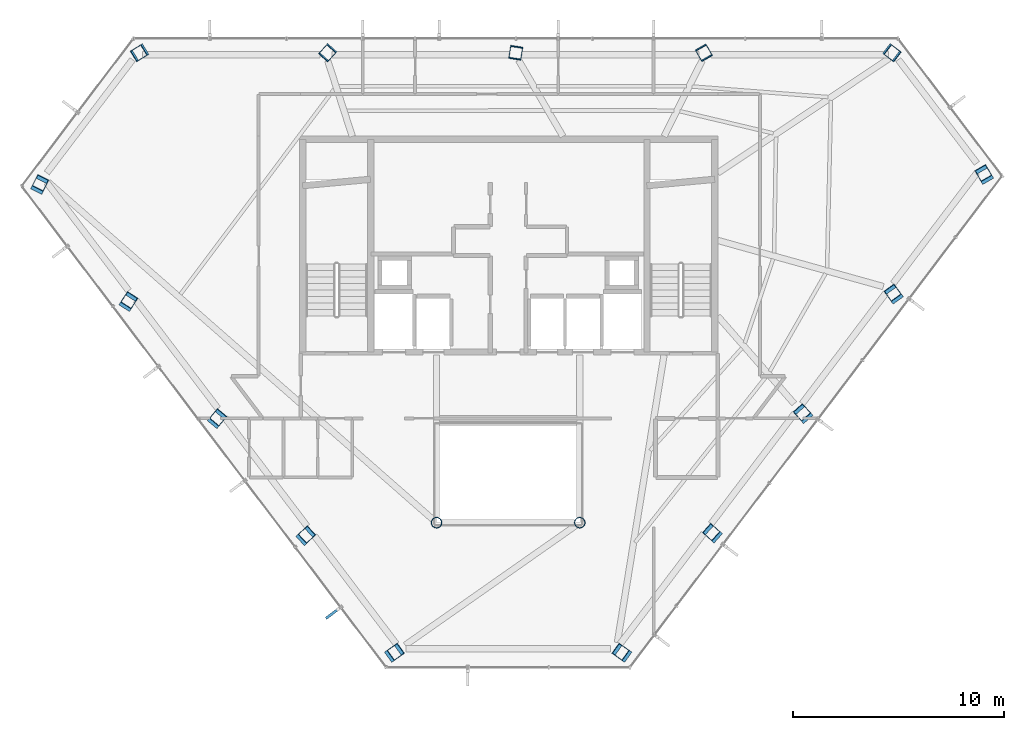
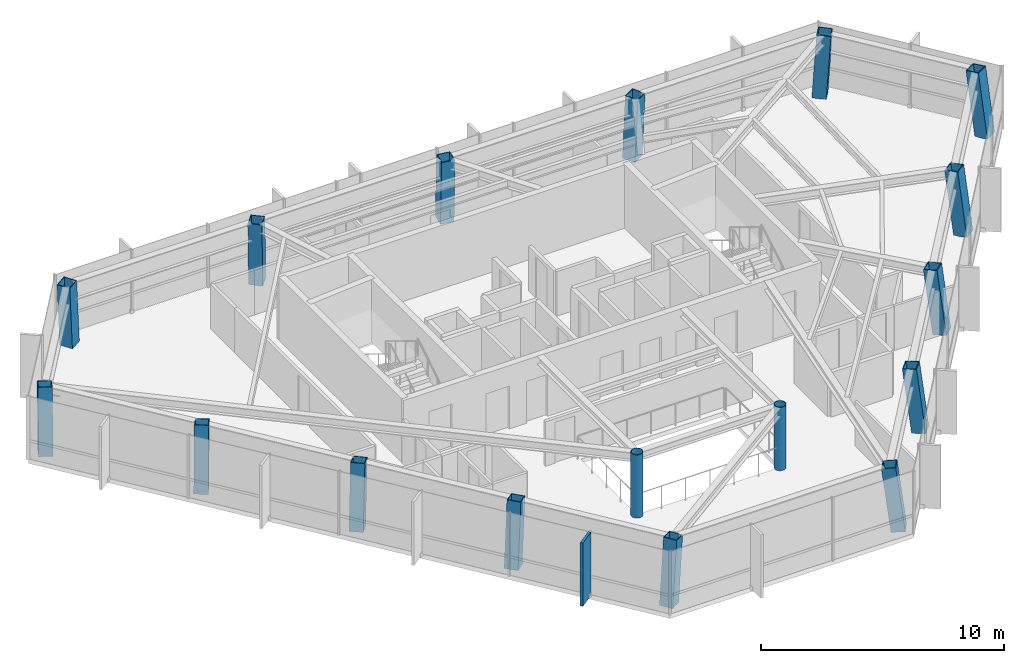
# One storey, part 1 of 27: 17 columns, 1 member, 1 element without a shape of its own.
"""IFC4 building model written with IfcOpenShell, lengths in metres."""

from ifc_helpers import new_model, si_unit, direction, frame, origin, origin_2d, place, context, subcontext, project, spatial, rectangle, hollow_rectangle, hollow_circle, extrude, material, layer, layer_set, material_profile, profile_set, type_object, element, aggregate, save


model = new_model("IFC4")

# Units and contexts
model_context = context("Model", 3, precision=1e-05, world=origin(), true_north=direction((0.0, 1.0)))
body_context = subcontext(model_context, "Body", "Model", "MODEL_VIEW")
ifc_project = project(units=[si_unit("LENGTHUNIT", "METRE"), si_unit("AREAUNIT", "SQUARE_METRE"), si_unit("VOLUMEUNIT", "CUBIC_METRE"), si_unit("PLANEANGLEUNIT", "RADIAN"), si_unit("MASSUNIT", "GRAM", prefix="KILO")], contexts=[model_context])

# Site, building, storey
site_placement = place(None, origin())
site = spatial("IfcSite", under=ifc_project, at=site_placement, CompositionType="ELEMENT")
building_placement = place(site_placement, origin())
building = spatial("IfcBuilding", under=site, at=building_placement, Name="Zarrinselat Tower", CompositionType="ELEMENT")
storey_placement = place(building_placement, frame((0.0, 0.0, 235.9599609375)))
storey = spatial("IfcBuildingStorey", under=building, at=storey_placement, Name="L59", CompositionType="ELEMENT", Elevation=235.9599609375)

# Columns
ifc_material_1 = material(Name="Steel S355J2", Category="steel")
ifc_material_profile_1 = material_profile(ifc_material_1, hollow_circle(Radius=0.25390625, WallThickness=0.02001953125, at=origin_2d()), Name="CHS 508x20")
ifc_profile_set_1 = profile_set([ifc_material_profile_1], Name="Steel S355J2")
column_type_1 = type_object("IfcColumnType", Name="COL-CHS508", PredefinedType="COLUMN", material=ifc_profile_set_1)
for number, where, z_axis, x_axis, name in (
    (1, (35.0, 25.199951171875, 0.0), (0.0, 0.0, 1.0), (1.0, 0.0, 0.0), "L59 Atrium Corner Column 1"),
    (2, (41.800048828125, 25.199951171875, 0.0), (0.0, 0.0, 1.0), (1.0, 0.0, 0.0), "L59 Atrium Corner Column 2"),
):
    element("IfcColumn", number, at=place(storey_placement, frame(where, z_axis=z_axis, x_axis=x_axis)), inside=storey, type_object=column_type_1, Name=name, PredefinedType="COLUMN", context=body_context, shape_type="SweptSolid", body=[
        extrude(hollow_circle(Radius=0.25390625, WallThickness=0.02001953125, at=origin_2d()), origin(), (0.0, 0.0, 1.0), 3.179931640625),
    ])
ifc_material_2 = material(Name="Steel S355J2", Category="steel")
ifc_material_profile_2 = material_profile(ifc_material_2, hollow_rectangle(XDim=0.60009765625, YDim=0.60009765625, WallThickness=0.030029296875, at=origin_2d()), Name="SHS 600x600x30")
ifc_profile_set_2 = profile_set([ifc_material_profile_2], Name="Steel S355J2")
column_type_2 = type_object("IfcColumnType", Name="COL-SHS600", PredefinedType="COLUMN", material=ifc_profile_set_2)
column_1_placement = place(storey_placement, frame((56.59228515625, 47.52783203125, 0.0), z_axis=(0.048126704161, -0.036631472275, 0.998169302065), x_axis=(0.605661387148, 0.795722491902, 0.0)))
element("IfcColumn", 3, at=column_1_placement, inside=storey, type_object=column_type_2, Name="L59 Framed-Tube Column T01", PredefinedType="COLUMN", context=body_context, shape_type="SweptSolid", body=[
    extrude(hollow_rectangle(XDim=0.60009765625, YDim=0.60009765625, WallThickness=0.030029296875, at=origin_2d()), origin(), (0.0, 0.0, 1.0), 3.185791015625),
])
column_2_placement = place(storey_placement, frame((47.677734375, 47.52783203125, 0.0), z_axis=(0.021171018176, -0.036665748869, 0.999103303392), x_axis=(0.866004557827, 0.500036104519, 0.0)))
element("IfcColumn", 4, at=column_2_placement, inside=storey, type_object=column_type_2, Name="L59 Framed-Tube Column T02", PredefinedType="COLUMN", context=body_context, shape_type="SweptSolid", body=[
    extrude(hollow_rectangle(XDim=0.60009765625, YDim=0.60009765625, WallThickness=0.030029296875, at=origin_2d()), origin(), (0.0, 0.0, 1.0), 3.182861328125),
])
column_3_placement = place(storey_placement, frame((38.763427734375, 47.52783203125, 0.0), z_axis=(-0.005830908441, -0.036673345194, 0.999310295283), x_axis=(0.987594874064, -0.15702345278, 0.0)))
element("IfcColumn", 5, at=column_3_placement, inside=storey, type_object=column_type_2, Name="L59 Framed-Tube Column T03", PredefinedType="COLUMN", context=body_context, shape_type="SweptSolid", body=[
    extrude(hollow_rectangle(XDim=0.60009765625, YDim=0.60009765625, WallThickness=0.030029296875, at=origin_2d()), origin(), (0.0, 0.0, 1.0), 3.18212890625),
])
column_4_placement = place(storey_placement, frame((29.848876953125, 47.52783203125, 0.0), z_axis=(-0.03282008895, -0.036654211491, 0.998788921916), x_axis=(0.744996687719, -0.667068163899, 0.0)))
element("IfcColumn", 6, at=column_4_placement, inside=storey, type_object=column_type_2, Name="L59 Framed-Tube Column T04", PredefinedType="COLUMN", context=body_context, shape_type="SweptSolid", body=[
    extrude(hollow_rectangle(XDim=0.60009765625, YDim=0.60009765625, WallThickness=0.030029296875, at=origin_2d()), origin(), (0.0, 0.0, 1.0), 3.183837890625),
])
column_5_placement = place(storey_placement, frame((20.9345703125, 47.52783203125, 0.0), z_axis=(-0.059813988517, -0.036608305392, 0.997538028726), x_axis=(0.522024164568, -0.852930695665, 0.0)))
element("IfcColumn", 7, at=column_5_placement, inside=storey, type_object=column_type_2, Name="L59 Framed-Tube Column T05", PredefinedType="COLUMN", context=body_context, shape_type="SweptSolid", body=[
    extrude(hollow_rectangle(XDim=0.60009765625, YDim=0.60009765625, WallThickness=0.030029296875, at=origin_2d()), origin(), (0.0, 0.0, 1.0), 3.187744140625),
])
column_6_placement = place(storey_placement, frame((16.126708984375, 41.181396484375, 0.0), z_axis=(0.061219495948, 0.122819237213, 0.99053904935), x_axis=(-0.894980671898, 0.446104916952, 0.0)))
element("IfcColumn", 8, at=column_6_placement, inside=storey, type_object=column_type_2, Name="L59 Framed-Tube Column T06", PredefinedType="COLUMN", context=body_context, shape_type="SweptSolid", body=[
    extrude(hollow_rectangle(XDim=0.60009765625, YDim=0.60009765625, WallThickness=0.030029296875, at=origin_2d()), origin(), (0.0, 0.0, 1.0), 3.210205078125),
])
column_7_placement = place(storey_placement, frame((20.330810546875, 35.632080078125, 0.0), z_axis=(0.07101494428, 0.109985631817, 0.991392978835), x_axis=(-0.840100092873, 0.542431409447, 0.0)))
element("IfcColumn", 9, at=column_7_placement, inside=storey, type_object=column_type_2, Name="L59 Framed-Tube Column T07", PredefinedType="COLUMN", context=body_context, shape_type="SweptSolid", body=[
    extrude(hollow_rectangle(XDim=0.60009765625, YDim=0.60009765625, WallThickness=0.030029296875, at=origin_2d()), origin(), (0.0, 0.0, 1.0), 3.20751953125),
])
column_8_placement = place(storey_placement, frame((24.534912109375, 30.082763671875, 0.0), z_axis=(0.080805525236, 0.097179877664, 0.991981118), x_axis=(-0.768912334897, 0.639354222042, 0.0)))
element("IfcColumn", 10, at=column_8_placement, inside=storey, type_object=column_type_2, Name="L59 Framed-Tube Column T08", PredefinedType="COLUMN", context=body_context, shape_type="SweptSolid", body=[
    extrude(hollow_rectangle(XDim=0.60009765625, YDim=0.60009765625, WallThickness=0.030029296875, at=origin_2d()), origin(), (0.0, 0.0, 1.0), 3.20556640625),
])
column_9_placement = place(storey_placement, frame((28.739013671875, 24.533447265625, 0.0), z_axis=(0.090584703405, 0.08426129686, 0.992317713921), x_axis=(-0.681088587189, 0.732201021852, 0.0)))
element("IfcColumn", 11, at=column_9_placement, inside=storey, type_object=column_type_2, Name="L59 Framed-Tube Column T09", PredefinedType="COLUMN", context=body_context, shape_type="SweptSolid", body=[
    extrude(hollow_rectangle(XDim=0.60009765625, YDim=0.60009765625, WallThickness=0.030029296875, at=origin_2d()), origin(), (0.0, 0.0, 1.0), 3.20458984375),
])
for number, where, z_axis, x_axis, name in (
    (12, (32.943115234375, 18.98388671875, 0.0), (0.100419020513, 0.07139045692, 0.992380684506), (-0.579423388784, 0.81502670909, 0.0), "L59 Framed-Tube Column T10"),
    (13, (43.85693359375, 18.98388671875, 0.0), (-0.100419020513, 0.07139045692, 0.992380684506), (-0.579423388784, -0.81502670909, 0.0), "L59 Framed-Tube Column T11"),
):
    element("IfcColumn", number, at=place(storey_placement, frame(where, z_axis=z_axis, x_axis=x_axis)), inside=storey, type_object=column_type_2, Name=name, PredefinedType="COLUMN", context=body_context, shape_type="SweptSolid", body=[
        extrude(hollow_rectangle(XDim=0.60009765625, YDim=0.60009765625, WallThickness=0.030029296875, at=origin_2d()), origin(), (0.0, 0.0, 1.0), 3.204345703125),
    ])
column_10_placement = place(storey_placement, frame((48.15185546875, 24.6533203125, 0.0), z_axis=(-0.092110210865, 0.082358261328, 0.992337052541), x_axis=(-0.666542490355, -0.745467040554, 0.0)))
element("IfcColumn", 14, at=column_10_placement, inside=storey, type_object=column_type_2, Name="L59 Framed-Tube Column T12", PredefinedType="COLUMN", context=body_context, shape_type="SweptSolid", body=[
    extrude(hollow_rectangle(XDim=0.60009765625, YDim=0.60009765625, WallThickness=0.030029296875, at=origin_2d()), origin(), (0.0, 0.0, 1.0), 3.20458984375),
])
column_11_placement = place(storey_placement, frame((52.44677734375, 30.322509765625, 0.0), z_axis=(-0.083710636728, 0.093308034569, 0.992111959399), x_axis=(-0.744350700793, -0.667788914425, 0.0)))
element("IfcColumn", 15, at=column_11_placement, inside=storey, type_object=column_type_2, Name="L59 Framed-Tube Column T13", PredefinedType="COLUMN", context=body_context, shape_type="SweptSolid", body=[
    extrude(hollow_rectangle(XDim=0.60009765625, YDim=0.60009765625, WallThickness=0.030029296875, at=origin_2d()), origin(), (0.0, 0.0, 1.0), 3.205322265625),
])
column_12_placement = place(storey_placement, frame((56.74169921875, 35.99169921875, 0.0), z_axis=(-0.075375047062, 0.104383019719, 0.991676755538), x_axis=(-0.810726005179, -0.585425780545, 0.0)))
element("IfcColumn", 16, at=column_12_placement, inside=storey, type_object=column_type_2, Name="L59 Framed-Tube Column T14", PredefinedType="COLUMN", context=body_context, shape_type="SweptSolid", body=[
    extrude(hollow_rectangle(XDim=0.60009765625, YDim=0.60009765625, WallThickness=0.030029296875, at=origin_2d()), origin(), (0.0, 0.0, 1.0), 3.20654296875),
])
column_13_placement = place(storey_placement, frame((61.03662109375, 41.6611328125, 0.0), z_axis=(-0.067035657533, 0.115200891606, 0.991077683732), x_axis=(-0.864316753447, -0.502947859833, 0.0)))
element("IfcColumn", 17, at=column_13_placement, inside=storey, type_object=column_type_2, Name="L59 Framed-Tube Column T15", PredefinedType="COLUMN", context=body_context, shape_type="SweptSolid", body=[
    extrude(hollow_rectangle(XDim=0.60009765625, YDim=0.60009765625, WallThickness=0.030029296875, at=origin_2d()), origin(), (0.0, 0.0, 1.0), 3.20849609375),
])

# Curtain wall, member
ifc_material_3 = material(Name="Extruded Aluminium Alloy EN AW-6063 T6", Category="aluminium")
ifc_layer = layer(ifc_material_3, 0.169921875)
ifc_layer_set = layer_set([ifc_layer], Name="Extruded Aluminium Alloy EN AW-6063 T6")
curtain_wall_type = type_object("IfcCurtainWallType", Name="CWS-RES", PredefinedType="NOTDEFINED", material=ifc_layer_set)
curtain_wall_placement = place(storey_placement, origin())
curtain_wall = element("IfcCurtainWall", 18, at=curtain_wall_placement, inside=storey, type_object=curtain_wall_type, Name="L59 Unitised Curtain Wall CW-L59-E03", PredefinedType="NOTDEFINED")
ifc_material_4 = material(Name="Honed Cream Travertine Stone", Category="masonry")
ifc_material_profile_3 = material_profile(ifc_material_4, rectangle(XDim=0.1201171875, YDim=0.85009765625, at=origin_2d()), Name="FIN 850x120")
ifc_profile_set_3 = profile_set([ifc_material_profile_3], Name="Honed Cream Travertine Stone")
member_type = type_object("IfcMemberType", Name="MEM-STONE-FIN", PredefinedType="USERDEFINED", material=ifc_profile_set_3)
member_placement = place(storey_placement, frame((30.089599609375, 20.912109375, 0.0), z_axis=(0.0, 0.0, 1.0), x_axis=(-0.603857419315, 0.7970923517, 0.0)))
member = element("IfcMember", 19, at=member_placement, type_object=member_type, Name="L59 Stone Shading Fin CW-L59-E03-07", ObjectType="FIN", PredefinedType="USERDEFINED", context=body_context, shape_type="SweptSolid", body=[
    extrude(rectangle(XDim=0.1201171875, YDim=0.85009765625, at=origin_2d()), origin(), (0.0, 0.0, 1.0), 3.179931640625),
])
aggregate(curtain_wall, [member])

save(model, "model.ifc")
